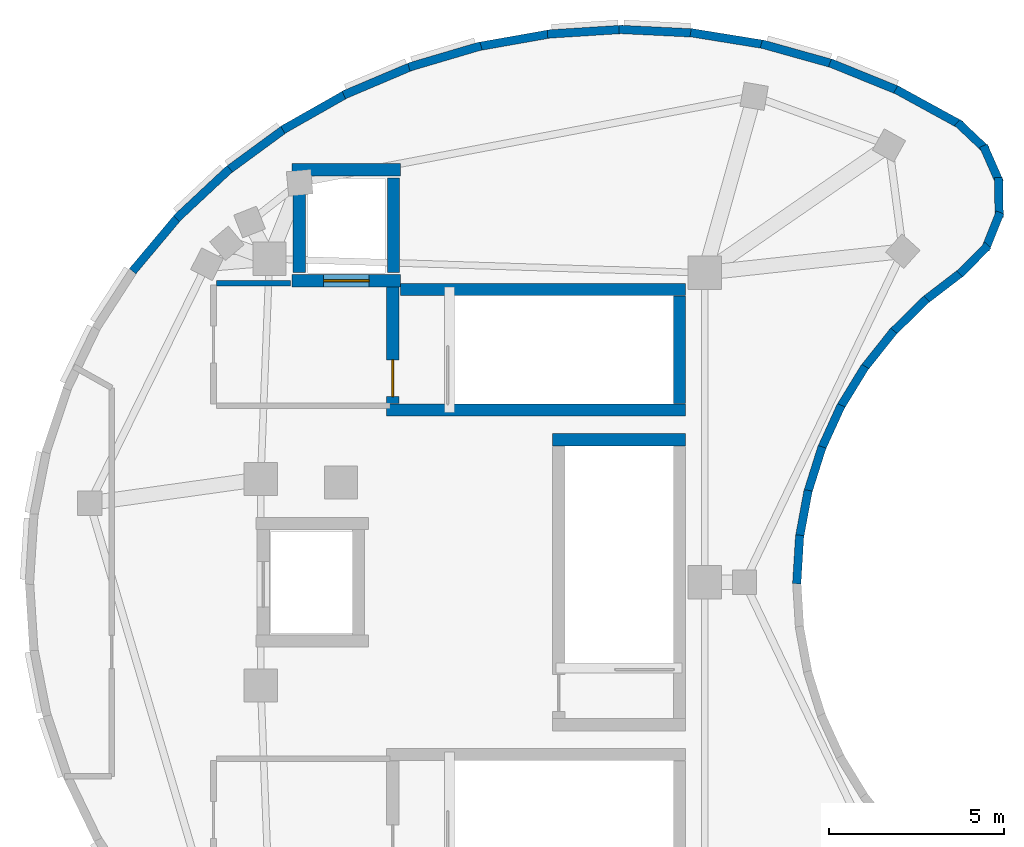
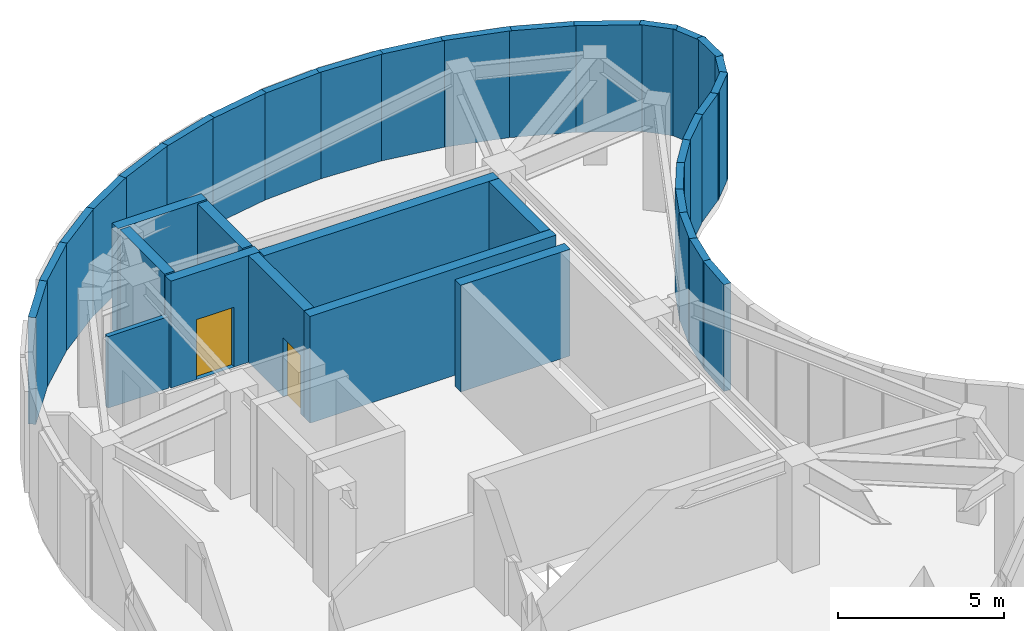
# One storey, part 3 of 4: 36 walls, 2 doors, 2 openings.
"""IFC4 building model written with IfcOpenShell, lengths in metres."""

from ifc_helpers import new_model, si_unit, direction, frame, frame_2d, origin, place, context, subcontext, project, spatial, rectangle, extrude, material, layer, layer_set, type_object, element, fill, save


model = new_model("IFC4")

# Units and contexts
model_context = context("Model", 3, precision=1e-05, world=origin(), true_north=direction((0.0, 1.0)))
body_context = subcontext(model_context, "Body", "Model", "MODEL_VIEW")
ifc_project = project(units=[si_unit("LENGTHUNIT", "METRE"), si_unit("AREAUNIT", "SQUARE_METRE"), si_unit("VOLUMEUNIT", "CUBIC_METRE"), si_unit("PLANEANGLEUNIT", "RADIAN"), si_unit("MASSUNIT", "GRAM", prefix="KILO")], contexts=[model_context])

# Site, building, storey
site_placement = place(None, origin())
site = spatial("IfcSite", under=ifc_project, at=site_placement, CompositionType="ELEMENT")
building_placement = place(site_placement, origin())
building = spatial("IfcBuilding", under=site, at=building_placement, Name="Korentha Bioscience Tower", CompositionType="ELEMENT")
storey_placement = place(building_placement, frame((0.0, 0.0, 339.60009765625)))
storey = spatial("IfcBuildingStorey", under=building, at=storey_placement, Name="L78", CompositionType="ELEMENT", Elevation=339.60009765625)

# Walls
ifc_material_1 = material(Name="Gypsum-Clad Steel Stud", Category="steel")
ifc_layer_1 = layer(ifc_material_1, 0.159912109375, Name="Gypsum-Clad Steel Stud")
ifc_layer_set_1 = layer_set([ifc_layer_1], Name="Gypsum-Clad Steel Stud (IW-C160)")
wall_type_1 = type_object("IfcWallType", Name="Fire-Rated Corridor Partition Wall 160", PredefinedType="PARTITIONING", material=ifc_layer_set_1)
wall_1_placement = place(storey_placement, frame((23.580078125, 35.550048828125, 0.0), z_axis=(0.0, 0.0, 1.0), x_axis=(1.0, 0.0, 0.0)))
element("IfcWall", 1, at=wall_1_placement, inside=storey, type_object=wall_type_1, Name="L78 Firefighting Lobby Return Wall FFLN-N", PredefinedType="PARTITIONING", context=body_context, shape_type="SweptSolid", body=[
    extrude(rectangle(XDim=2.119873046875, YDim=0.159912109375, at=frame_2d((1.06005859375, 0.0))), origin(), (0.0, 0.0, 1.0), 2.6298828125),
])
ifc_material_2 = material(Name="Insulated Precast Concrete C40", Category="concrete")
ifc_layer_2 = layer(ifc_material_2, 0.239990234375, Name="Insulated Precast Concrete C40")
ifc_layer_set_2 = layer_set([ifc_layer_2], Name="Insulated Precast Concrete C40 (EW-PL240)")
wall_type_2 = type_object("IfcWallType", Name="Plant Acoustic Louvre Backup Wall 240", PredefinedType="STANDARD", material=ifc_layer_set_2)
wall_2_placement = place(storey_placement, frame((44.876708984375, 40.077392578125, 0.0), z_axis=(0.0, 0.0, 1.0), x_axis=(-0.877104331714, 0.480299897241, 0.0)))
element("IfcWall", 2, at=wall_2_placement, inside=storey, type_object=wall_type_2, Name="L78 Plant Louvre Backup Wall 01", PredefinedType="STANDARD", context=body_context, shape_type="SweptSolid", body=[
    extrude(rectangle(XDim=2.125732421875, YDim=0.239990234375, at=frame_2d((1.06298828125, 0.0))), origin(), (0.0, 0.0, 1.0), 3.919921875),
])
wall_3_placement = place(storey_placement, frame((43.11474609375, 41.0498046875, 0.0), z_axis=(0.0, 0.0, 1.0), x_axis=(-0.926393219555, 0.376557568988, 0.0)))
element("IfcWall", 3, at=wall_3_placement, inside=storey, type_object=wall_type_2, Name="L78 Plant Louvre Backup Wall 02", PredefinedType="STANDARD", context=body_context, shape_type="SweptSolid", body=[
    extrude(rectangle(XDim=2.14013671875, YDim=0.239990234375, at=frame_2d((1.070068359375, 0.0))), origin(), (0.0, 0.0, 1.0), 3.919921875),
])
wall_4_placement = place(storey_placement, frame((41.239501953125, 41.819091796875, 0.0), z_axis=(0.0, 0.0, 1.0), x_axis=(-0.963062950867, 0.269276349995, 0.0)))
element("IfcWall", 4, at=wall_4_placement, inside=storey, type_object=wall_type_2, Name="L78 Plant Louvre Backup Wall 03", PredefinedType="STANDARD", context=body_context, shape_type="SweptSolid", body=[
    extrude(rectangle(XDim=2.151611328125, YDim=0.239990234375, at=frame_2d((1.07568359375, 0.0))), origin(), (0.0, 0.0, 1.0), 3.919921875),
])
wall_5_placement = place(storey_placement, frame((39.2783203125, 42.374267578125, 0.0), z_axis=(0.0, 0.0, 1.0), x_axis=(-0.987188885728, 0.159555958507, 0.0)))
element("IfcWall", 5, at=wall_5_placement, inside=storey, type_object=wall_type_2, Name="L78 Plant Louvre Backup Wall 04", PredefinedType="STANDARD", context=body_context, shape_type="SweptSolid", body=[
    extrude(rectangle(XDim=2.158935546875, YDim=0.239990234375, at=frame_2d((1.07958984375, 0.0))), origin(), (0.0, 0.0, 1.0), 3.919921875),
])
wall_6_placement = place(storey_placement, frame((37.259521484375, 42.70703125, 0.0), z_axis=(0.0, 0.0, 1.0), x_axis=(-0.998821443964, 0.048535791717, 0.0)))
element("IfcWall", 6, at=wall_6_placement, inside=storey, type_object=wall_type_2, Name="L78 Plant Louvre Backup Wall 05", PredefinedType="STANDARD", context=body_context, shape_type="SweptSolid", body=[
    extrude(rectangle(XDim=2.162841796875, YDim=0.239990234375, at=frame_2d((1.08154296875, 0.0))), origin(), (0.0, 0.0, 1.0), 3.919921875),
])
wall_7_placement = place(storey_placement, frame((35.21240234375, 42.81298828125, 0.0), z_axis=(0.0, 0.0, 1.0), x_axis=(-0.998014625109, -0.062982601313, 0.0)))
element("IfcWall", 7, at=wall_7_placement, inside=storey, type_object=wall_type_2, Name="L78 Plant Louvre Backup Wall 06", PredefinedType="STANDARD", context=body_context, shape_type="SweptSolid", body=[
    extrude(rectangle(XDim=2.1630859375, YDim=0.239990234375, at=frame_2d((1.08154296875, 0.0))), origin(), (0.0, 0.0, 1.0), 3.919921875),
])
wall_8_placement = place(storey_placement, frame((33.166259765625, 42.690185546875, 0.0), z_axis=(0.0, 0.0, 1.0), x_axis=(-0.98475165837, -0.173966006268, 0.0)))
element("IfcWall", 8, at=wall_8_placement, inside=storey, type_object=wall_type_2, Name="L78 Plant Louvre Backup Wall 07", PredefinedType="STANDARD", context=body_context, shape_type="SweptSolid", body=[
    extrude(rectangle(XDim=2.158447265625, YDim=0.239990234375, at=frame_2d((1.0791015625, 0.0))), origin(), (0.0, 0.0, 1.0), 3.919921875),
])
wall_9_placement = place(storey_placement, frame((31.151123046875, 42.3408203125, 0.0), z_axis=(0.0, 0.0, 1.0), x_axis=(-0.959030329597, -0.283303418464, 0.0)))
element("IfcWall", 9, at=wall_9_placement, inside=storey, type_object=wall_type_2, Name="L78 Plant Louvre Backup Wall 08", PredefinedType="STANDARD", context=body_context, shape_type="SweptSolid", body=[
    extrude(rectangle(XDim=2.150146484375, YDim=0.239990234375, at=frame_2d((1.0751953125, 0.0))), origin(), (0.0, 0.0, 1.0), 3.919921875),
])
wall_10_placement = place(storey_placement, frame((29.19580078125, 41.769775390625, 0.0), z_axis=(0.0, 0.0, 1.0), x_axis=(-0.920708614344, -0.390250749483, 0.0)))
element("IfcWall", 10, at=wall_10_placement, inside=storey, type_object=wall_type_2, Name="L78 Plant Louvre Backup Wall 09", PredefinedType="STANDARD", context=body_context, shape_type="SweptSolid", body=[
    extrude(rectangle(XDim=2.13818359375, YDim=0.239990234375, at=frame_2d((1.069091796875, 0.0))), origin(), (0.0, 0.0, 1.0), 3.919921875),
])
wall_11_placement = place(storey_placement, frame((27.328857421875, 40.985595703125, 0.0), z_axis=(0.0, 0.0, 1.0), x_axis=(-0.869823249447, -0.493363471207, 0.0)))
element("IfcWall", 11, at=wall_11_placement, inside=storey, type_object=wall_type_2, Name="L78 Plant Louvre Backup Wall 10", PredefinedType="STANDARD", context=body_context, shape_type="SweptSolid", body=[
    extrude(rectangle(XDim=2.123779296875, YDim=0.239990234375, at=frame_2d((1.06201171875, 0.0))), origin(), (0.0, 0.0, 1.0), 3.919921875),
])
wall_12_placement = place(storey_placement, frame((25.5771484375, 39.99951171875, 0.0), z_axis=(0.0, 0.0, 1.0), x_axis=(-0.806349743637, -0.591439000182, 0.0)))
element("IfcWall", 12, at=wall_12_placement, inside=storey, type_object=wall_type_2, Name="L78 Plant Louvre Backup Wall 11", PredefinedType="STANDARD", context=body_context, shape_type="SweptSolid", body=[
    extrude(rectangle(XDim=2.107177734375, YDim=0.239990234375, at=frame_2d((1.0537109375, 0.0))), origin(), (0.0, 0.0, 1.0), 3.919921875),
])
wall_13_placement = place(storey_placement, frame((23.9658203125, 38.825927734375, 0.0), z_axis=(0.0, 0.0, 1.0), x_axis=(-0.730538342308, -0.68287167932, 0.0)))
element("IfcWall", 13, at=wall_13_placement, inside=storey, type_object=wall_type_2, Name="L78 Plant Louvre Backup Wall 12", PredefinedType="STANDARD", context=body_context, shape_type="SweptSolid", body=[
    extrude(rectangle(XDim=2.089599609375, YDim=0.239990234375, at=frame_2d((1.044921875, 0.0))), origin(), (0.0, 0.0, 1.0), 3.919921875),
])
wall_14_placement = place(storey_placement, frame((22.51806640625, 37.48193359375, 0.0), z_axis=(0.0, 0.0, 1.0), x_axis=(-0.642719373216, -0.766101695137, 0.0)))
element("IfcWall", 14, at=wall_14_placement, inside=storey, type_object=wall_type_2, Name="L78 Plant Louvre Backup Wall 13", PredefinedType="STANDARD", context=body_context, shape_type="SweptSolid", body=[
    extrude(rectangle(XDim=2.07177734375, YDim=0.239990234375, at=frame_2d((1.035888671875, 0.0))), origin(), (0.0, 0.0, 1.0), 3.919921875),
])
wall_15_placement = place(storey_placement, frame((40.1806640625, 26.95751953125, 0.0), z_axis=(0.0, 0.0, 1.0), x_axis=(0.061056554622, 0.998134308166, 0.0)))
element("IfcWall", 15, at=wall_15_placement, inside=storey, type_object=wall_type_2, Name="L78 Plant Louvre Backup Wall 50", PredefinedType="STANDARD", context=body_context, shape_type="SweptSolid", body=[
    extrude(rectangle(XDim=1.3916015625, YDim=0.239990234375, at=frame_2d((0.69580078125, 0.0))), origin(), (0.0, 0.0, 1.0), 3.919921875),
])
wall_16_placement = place(storey_placement, frame((40.25537109375, 28.261962890625, 0.0), z_axis=(0.0, 0.0, 1.0), x_axis=(0.182126958243, 0.983275023115, 0.0)))
element("IfcWall", 16, at=wall_16_placement, inside=storey, type_object=wall_type_2, Name="L78 Plant Louvre Backup Wall 51", PredefinedType="STANDARD", context=body_context, shape_type="SweptSolid", body=[
    extrude(rectangle(XDim=1.391357421875, YDim=0.239990234375, at=frame_2d((0.69580078125, 0.0))), origin(), (0.0, 0.0, 1.0), 3.919921875),
])
for number, where, z_axis, x_axis, name in (
    (17, (40.48828125, 29.547607421875, 0.0), (0.0, 0.0, 1.0), (0.300711509851, 0.953715150264, 0.0), "L78 Plant Louvre Backup Wall 52"),
    (18, (40.876220703125, 30.795166015625, 0.0), (0.0, 0.0, 1.0), (0.41456945509, 0.910017673953, 0.0), "L78 Plant Louvre Backup Wall 53"),
    (19, (41.413330078125, 31.986328125, 0.0), (0.0, 0.0, 1.0), (0.522471546172, 0.85265672075, 0.0), "L78 Plant Louvre Backup Wall 54"),
    (20, (42.091552734375, 33.10302734375, 0.0), (0.0, 0.0, 1.0), (0.622467396211, 0.782645731257, 0.0), "L78 Plant Louvre Backup Wall 55"),
    (21, (42.90087890625, 34.12890625, 0.0), (0.0, 0.0, 1.0), (0.713307196779, 0.700851512821, 0.0), "L78 Plant Louvre Backup Wall 56"),
    (22, (43.8291015625, 35.04833984375, 0.0), (0.0, 0.0, 1.0), (0.793340854113, 0.608777700967, 0.0), "L78 Plant Louvre Backup Wall 57"),
):
    element("IfcWall", number, at=place(storey_placement, frame(where, z_axis=z_axis, x_axis=x_axis)), inside=storey, type_object=wall_type_2, Name=name, PredefinedType="STANDARD", context=body_context, shape_type="SweptSolid", body=[
        extrude(rectangle(XDim=1.3916015625, YDim=0.239990234375, at=frame_2d((0.69580078125, 0.0))), origin(), (0.0, 0.0, 1.0), 3.919921875),
    ])
for number, where, z_axis, x_axis, name in (
    (23, (44.845947265625, 35.818603515625, 0.0), (0.0, 0.0, 1.0), (0.702188326868, 0.711991259504, 0.0), "L78 Plant Louvre Backup Wall 58"),
    (24, (45.57080078125, 36.5126953125, 0.0), (0.0, 0.0, 1.0), (0.371684619002, 0.928359059846, 0.0), "L78 Plant Louvre Backup Wall 59"),
):
    element("IfcWall", number, at=place(storey_placement, frame(where, z_axis=z_axis, x_axis=x_axis)), inside=storey, type_object=wall_type_2, Name=name, PredefinedType="STANDARD", context=body_context, shape_type="SweptSolid", body=[
        extrude(rectangle(XDim=1.1455078125, YDim=0.239990234375, at=frame_2d((0.57275390625, 0.0))), origin(), (0.0, 0.0, 1.0), 3.919921875),
    ])
for number, where, z_axis, x_axis, name in (
    (25, (45.97021484375, 37.43310546875, 0.0), (0.0, 0.0, 1.0), (-0.017047820552, 0.999854675348, 0.0), "L78 Plant Louvre Backup Wall 60"),
    (26, (45.981689453125, 38.4365234375, 0.0), (0.0, 0.0, 1.0), (-0.40313130284, 0.915142148888, 0.0), "L78 Plant Louvre Backup Wall 61"),
):
    element("IfcWall", number, at=place(storey_placement, frame(where, z_axis=z_axis, x_axis=x_axis)), inside=storey, type_object=wall_type_2, Name=name, PredefinedType="STANDARD", context=body_context, shape_type="SweptSolid", body=[
        extrude(rectangle(XDim=1.145751953125, YDim=0.239990234375, at=frame_2d((0.57275390625, 0.0))), origin(), (0.0, 0.0, 1.0), 3.919921875),
    ])
wall_17_placement = place(storey_placement, frame((45.603515625, 39.3662109375, 0.0), z_axis=(0.0, 0.0, 1.0), x_axis=(-0.726131874639, 0.68755545277, 0.0)))
element("IfcWall", 27, at=wall_17_placement, inside=storey, type_object=wall_type_2, Name="L78 Plant Louvre Backup Wall 62", PredefinedType="STANDARD", context=body_context, shape_type="SweptSolid", body=[
    extrude(rectangle(XDim=1.1455078125, YDim=0.239990234375, at=frame_2d((0.57275390625, 0.0))), origin(), (0.0, 0.0, 1.0), 3.919921875),
])
ifc_material_3 = material(Name="Concrete C50", Category="concrete")
ifc_layer_3 = layer(ifc_material_3, 0.35009765625, Name="Concrete C50")
ifc_layer_set_3 = layer_set([ifc_layer_3], Name="Concrete C50 (CW-C50)")
wall_type_3 = type_object("IfcWallType", Name="Upper Core Shear Wall 350", PredefinedType="SHEAR", material=ifc_layer_set_3)
wall_18_placement = place(storey_placement, frame((28.85205078125, 35.375, 0.0), z_axis=(0.0, 0.0, 1.0), x_axis=(1.0, 0.0, 0.0)))
element("IfcWall", 28, at=wall_18_placement, inside=storey, type_object=wall_type_3, Name="L78 Core Shear Wall ST1-N", PredefinedType="SHEAR", context=body_context, shape_type="SweptSolid", body=[
    extrude(rectangle(XDim=8.14794921875, YDim=0.35009765625, at=frame_2d((4.073974609375, 0.0))), origin(), (0.0, 0.0, 1.0), 3.919921875),
])
wall_19_placement = place(storey_placement, frame((28.449951171875, 31.925048828125, 0.0), z_axis=(0.0, 0.0, 1.0), x_axis=(1.0, 0.0, 0.0)))
element("IfcWall", 29, at=wall_19_placement, inside=storey, type_object=wall_type_3, Name="L78 Core Shear Wall ST1-S", PredefinedType="SHEAR", context=body_context, shape_type="SweptSolid", body=[
    extrude(rectangle(XDim=8.550048828125, YDim=0.35009765625, at=frame_2d((4.27490234375, 0.0))), origin(), (0.0, 0.0, 1.0), 3.919921875),
])
wall_20_placement = place(storey_placement, frame((36.824951171875, 32.110107421875, 0.0), z_axis=(0.0, 0.0, 1.0), x_axis=(0.0, 1.0, 0.0)))
element("IfcWall", 30, at=wall_20_placement, inside=storey, type_object=wall_type_3, Name="L78 Core Shear Wall ST1-E", PredefinedType="SHEAR", context=body_context, shape_type="SweptSolid", body=[
    extrude(rectangle(XDim=3.079833984375, YDim=0.35009765625, at=frame_2d((1.5400390625, 0.0))), origin(), (0.0, 0.0, 1.0), 3.919921875),
])

# Wall, opening, door
wall_21_placement = place(storey_placement, frame((28.625, 32.110107421875, 0.0), z_axis=(0.0, 0.0, 1.0), x_axis=(0.0, 1.0, 0.0)))
wall_21 = element("IfcWall", 31, at=wall_21_placement, inside=storey, type_object=wall_type_3, Name="L78 Core Shear Wall ST1-W", PredefinedType="SHEAR", context=body_context, shape_type="SweptSolid", body=[
    extrude(rectangle(XDim=3.3330078125, YDim=0.35009765625, at=frame_2d((1.66650390625, 0.0))), origin(), (0.0, 0.0, 1.0), 3.919921875),
])
opening_1_placement = place(wall_21_placement, frame((0.199951171875, 0.0, 0.0)))
opening_1 = element("IfcOpeningElement", 32, at=opening_1_placement, cuts=wall_21, Name="Opening FD-90L", PredefinedType="OPENING", context=body_context, shape_type="SweptSolid", body=[
    extrude(rectangle(XDim=1.050048828125, YDim=2.14990234375, at=frame_2d((0.52490234375, 1.074951171875))), frame((0.0, 0.18994140625, 0.0), z_axis=(0.0, -1.0, 0.0), x_axis=(1.0, 0.0, 0.0)), (0.0, 0.0, 1.0), 0.3798828125),
])
ifc_material_4 = material(Name="Powder-Coated Fire-Rated Steel", Category="steel")
door_type_1 = type_object("IfcDoorType", Name="Stairwell Fire Exit Door 1050x2150 Left", OperationType="SINGLE_SWING_LEFT", PredefinedType="DOOR", material=ifc_material_4)
door_1_placement = place(opening_1_placement, origin())
door_1 = element("IfcDoor", 33, at=door_1_placement, inside=storey, type_object=door_type_1, Name="L78 ST-1 Fire Exit Stair Door", OperationType="SINGLE_SWING_LEFT", OverallHeight=2.14990234375, OverallWidth=1.050048828125, PredefinedType="DOOR", context=body_context, shape_type="SweptSolid", body=[
    extrude(rectangle(XDim=1.050048828125, YDim=2.14990234375, at=frame_2d((0.52490234375, 1.074951171875))), frame((0.0, 0.02490234375, 0.0), z_axis=(0.0, -1.0, 0.0), x_axis=(1.0, 0.0, 0.0)), (0.0, 0.0, 1.0), 0.050048828125),
])
fill(opening_1, door_1)

# Walls
wall_22_placement = place(storey_placement, frame((33.199951171875, 31.074951171875, 0.0), z_axis=(0.0, 0.0, 1.0), x_axis=(1.0, 0.0, 0.0)))
element("IfcWall", 34, at=wall_22_placement, inside=storey, type_object=wall_type_3, Name="L78 Core Shear Wall ST3-N", PredefinedType="SHEAR", context=body_context, shape_type="SweptSolid", body=[
    extrude(rectangle(XDim=3.800048828125, YDim=0.35009765625, at=frame_2d((1.89990234375, 0.0))), origin(), (0.0, 0.0, 1.0), 3.919921875),
])
wall_23_placement = place(storey_placement, frame((25.75, 38.800048828125, 0.0), z_axis=(0.0, 0.0, 1.0), x_axis=(1.0, 0.0, 0.0)))
element("IfcWall", 35, at=wall_23_placement, inside=storey, type_object=wall_type_3, Name="L78 Core Shear Wall FFL2-N", PredefinedType="SHEAR", context=body_context, shape_type="SweptSolid", body=[
    extrude(rectangle(XDim=3.10009765625, YDim=0.35009765625, at=frame_2d((1.550048828125, 0.0))), origin(), (0.0, 0.0, 1.0), 3.919921875),
])

# Wall, opening, door
wall_24_placement = place(storey_placement, frame((25.75, 35.6201171875, 0.0), z_axis=(0.0, 0.0, 1.0), x_axis=(1.0, 0.0, 0.0)))
wall_24 = element("IfcWall", 36, at=wall_24_placement, inside=storey, type_object=wall_type_3, Name="L78 Core Shear Wall FFL2-S", PredefinedType="SHEAR", context=body_context, shape_type="SweptSolid", body=[
    extrude(rectangle(XDim=3.10009765625, YDim=0.35009765625, at=frame_2d((1.550048828125, 0.0))), origin(), (0.0, 0.0, 1.0), 3.919921875),
])
opening_2_placement = place(wall_24_placement, frame((0.89990234375, 0.0, 0.0)))
opening_2 = element("IfcOpeningElement", 37, at=opening_2_placement, cuts=wall_24, Name="Opening LD-13", PredefinedType="OPENING", context=body_context, shape_type="SweptSolid", body=[
    extrude(rectangle(XDim=1.300048828125, YDim=2.199951171875, at=frame_2d((0.64990234375, 1.10009765625))), frame((0.0, 0.18994140625, 0.0), z_axis=(0.0, -1.0, 0.0), x_axis=(1.0, 0.0, 0.0)), (0.0, 0.0, 1.0), 0.3798828125),
])
ifc_material_5 = material(Name="Brushed Stainless Steel 316", Category="steel")
door_type_2 = type_object("IfcDoorType", Name="Service & Firefighting Lift Landing Door 1300x2300", OperationType="DOUBLE_DOOR_SLIDING", PredefinedType="DOOR", material=ifc_material_5)
door_2_placement = place(opening_2_placement, origin())
door_2 = element("IfcDoor", 38, at=door_2_placement, inside=storey, type_object=door_type_2, Name="L78 FFL-2 Sliding Lift Landing Door", OperationType="DOUBLE_DOOR_SLIDING", OverallHeight=2.199951171875, OverallWidth=1.300048828125, PredefinedType="DOOR", context=body_context, shape_type="SweptSolid", body=[
    extrude(rectangle(XDim=1.300048828125, YDim=2.199951171875, at=frame_2d((0.64990234375, 1.10009765625))), frame((0.0, 0.02490234375, 0.0), z_axis=(0.0, -1.0, 0.0), x_axis=(1.0, 0.0, 0.0)), (0.0, 0.0, 1.0), 0.050048828125),
])
fill(opening_2, door_2)

# Walls
for number, where, z_axis, x_axis, name in (
    (39, (25.949951171875, 35.860107421875, 0.0), (0.0, 0.0, 1.0), (0.0, 1.0, 0.0), "L78 Core Shear Wall FFL2-W"),
    (40, (28.64990234375, 35.860107421875, 0.0), (0.0, 0.0, 1.0), (0.0, 1.0, 0.0), "L78 Core Shear Wall FFL2-E"),
):
    element("IfcWall", number, at=place(storey_placement, frame(where, z_axis=z_axis, x_axis=x_axis)), inside=storey, type_object=wall_type_3, Name=name, PredefinedType="SHEAR", context=body_context, shape_type="SweptSolid", body=[
        extrude(rectangle(XDim=2.699951171875, YDim=0.35009765625, at=frame_2d((1.35009765625, 0.0))), origin(), (0.0, 0.0, 1.0), 3.919921875),
    ])

save(model, "model.ifc")
